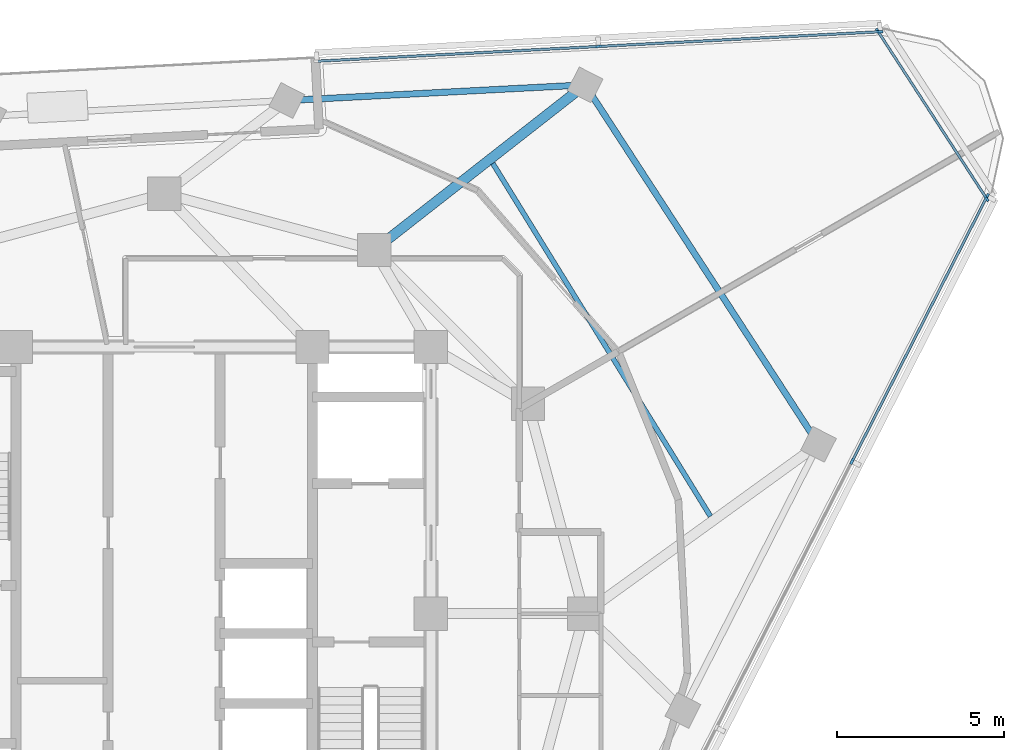
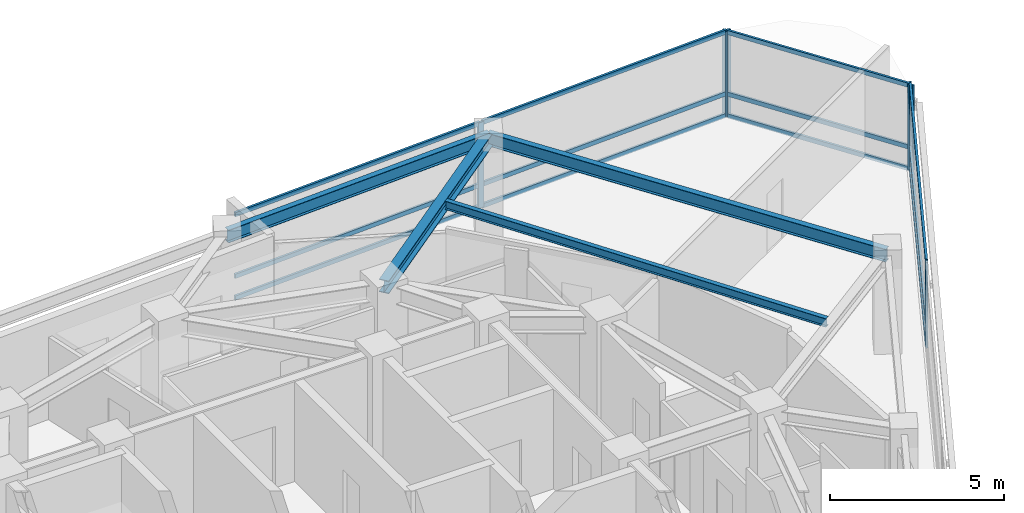
# One storey, part 6 of 15: 18 members, 4 beams, 3 elements without a shape of their own.
"""IFC4 building model written with IfcOpenShell, lengths in metres."""

from ifc_helpers import new_model, si_unit, direction, frame, origin, origin_2d, place, context, subcontext, project, spatial, rectangle, i_section, extrude, material, layer, layer_set, material_profile, profile_set, type_object, element, aggregate, save


model = new_model("IFC4")

# Units and contexts
model_context = context("Model", 3, precision=1e-05, world=origin(), true_north=direction((0.0, 1.0)))
body_context = subcontext(model_context, "Body", "Model", "MODEL_VIEW")
ifc_project = project(units=[si_unit("LENGTHUNIT", "METRE"), si_unit("AREAUNIT", "SQUARE_METRE"), si_unit("VOLUMEUNIT", "CUBIC_METRE"), si_unit("PLANEANGLEUNIT", "RADIAN"), si_unit("MASSUNIT", "GRAM", prefix="KILO")], contexts=[model_context])

# Site, building, storey
site_placement = place(None, origin())
site = spatial("IfcSite", under=ifc_project, at=site_placement, CompositionType="ELEMENT")
building_placement = place(site_placement, origin())
building = spatial("IfcBuilding", under=site, at=building_placement, Name="Terralouvre Media Tower", CompositionType="ELEMENT")
storey_placement = place(building_placement, frame((0.0, 0.0, 270.699951171875)))
storey = spatial("IfcBuildingStorey", under=building, at=storey_placement, Name="L70", CompositionType="ELEMENT", Elevation=270.699951171875)

# Beam
ifc_material_1 = material(Name="Structural steel S355J2", Category="steel")
ifc_material_profile_1 = material_profile(ifc_material_1, i_section(OverallWidth=0.14990234375, OverallDepth=0.300048828125, WebThickness=0.007080078125, FlangeThickness=0.0107421875, at=origin_2d()), Name="IPE 300")
ifc_profile_set_1 = profile_set([ifc_material_profile_1], Name="Structural steel S355J2")
beam_type_1 = type_object("IfcBeamType", Name="Composite Floor Joist J-IPE300 (IPE 300)", PredefinedType="JOIST", material=ifc_profile_set_1)
beam_1_placement = place(storey_placement, frame((16.387451171875, 2.9228515625, 3.35009765625), z_axis=(-0.524944877802, 0.851136226035, 0.0), x_axis=(-0.851136226035, -0.524944877802, 0.0)))
element("IfcBeam", 1, at=beam_1_placement, inside=storey, type_object=beam_type_1, Name="L70 Framing Beam JT-L70-03", PredefinedType="JOIST", context=body_context, shape_type="SweptSolid", body=[
    extrude(i_section(OverallWidth=0.14990234375, OverallDepth=0.300048828125, WebThickness=0.007080078125, FlangeThickness=0.0107421875, at=origin_2d()), origin(), (0.0, 0.0, 1.0), 12.43701171875),
])

# Curtain wall, members
ifc_material_2 = material(Name="Low-iron laminated double glazing with solar-control coating", Category="glass")
ifc_layer_1 = layer(ifc_material_2, 0.1650390625, Name="Upper Executive Tower Curtain Wall CW-05")
ifc_layer_set_1 = layer_set([ifc_layer_1], Name="Low-iron laminated double glazing with solar-control coating")
curtain_wall_type_1 = type_object("IfcCurtainWallType", Name="Upper Executive Tower Curtain Wall CW-05", PredefinedType="NOTDEFINED", material=ifc_layer_set_1)
curtain_wall_1_placement = place(storey_placement, origin())
curtain_wall_1 = element("IfcCurtainWall", 2, at=curtain_wall_1_placement, inside=storey, type_object=curtain_wall_type_1, Name="L70 Facade Curtain Wall F0", PredefinedType="NOTDEFINED")
ifc_material_3 = material(Name="Anodised extruded aluminium 6063-T6", Category="aluminium")
ifc_material_profile_2 = material_profile(ifc_material_3, rectangle(XDim=0.074951171875, YDim=0.14990234375, at=origin_2d()), Name="ALU 75x150")
ifc_profile_set_2 = profile_set([ifc_material_profile_2], Name="Anodised extruded aluminium 6063-T6")
member_type_1 = type_object("IfcMemberType", Name="Curtain-Wall Horizontal Transom TR-150", PredefinedType="USERDEFINED", material=ifc_profile_set_2)
member_1_placement = place(storey_placement, frame((20.6533203125, 4.602783203125, 0.03759765625), z_axis=(0.453989026721, 0.891007274727, 0.0), x_axis=(-0.891007274727, 0.453989026721, 0.0)))
member_1 = element("IfcMember", 3, at=member_1_placement, type_object=member_type_1, Name="CW-05 transom 5.1", ObjectType="TRANSOM", PredefinedType="USERDEFINED", context=body_context, shape_type="SweptSolid", body=[
    extrude(rectangle(XDim=0.074951171875, YDim=0.14990234375, at=origin_2d()), origin(), (0.0, 0.0, 1.0), 8.847412109375),
])
member_2_placement = place(storey_placement, frame((20.6533203125, 4.602783203125, 0.800048828125), z_axis=(0.453989026721, 0.891007274727, 0.0), x_axis=(-0.891007274727, 0.453989026721, 0.0)))
member_2 = element("IfcMember", 4, at=member_2_placement, type_object=member_type_1, Name="CW-05 transom 5.2", ObjectType="TRANSOM", PredefinedType="USERDEFINED", context=body_context, shape_type="SweptSolid", body=[
    extrude(rectangle(XDim=0.074951171875, YDim=0.14990234375, at=origin_2d()), origin(), (0.0, 0.0, 1.0), 8.847412109375),
])
member_3_placement = place(storey_placement, frame((20.6533203125, 4.602783203125, 2.962646484375), z_axis=(0.453989026721, 0.891007274727, 0.0), x_axis=(-0.891007274727, 0.453989026721, 0.0)))
member_3 = element("IfcMember", 5, at=member_3_placement, type_object=member_type_1, Name="CW-05 transom 5.3", ObjectType="TRANSOM", PredefinedType="USERDEFINED", context=body_context, shape_type="SweptSolid", body=[
    extrude(rectangle(XDim=0.074951171875, YDim=0.14990234375, at=origin_2d()), origin(), (0.0, 0.0, 1.0), 8.847412109375),
])

curtain_wall_2_placement = place(storey_placement, origin())
curtain_wall_2 = element("IfcCurtainWall", 6, at=curtain_wall_2_placement, inside=storey, type_object=curtain_wall_type_1, Name="L70 Left Flank Curtain Wall F1", PredefinedType="NOTDEFINED")
member_4_placement = place(storey_placement, frame((21.440673828125, 17.458740234375, 0.03759765625), z_axis=(-0.998629544022, -0.052335779414, 0.0), x_axis=(0.052335779414, -0.998629544022, 0.0)))
member_4 = element("IfcMember", 7, at=member_4_placement, type_object=member_type_1, Name="CW-05 transom 1.1", ObjectType="TRANSOM", PredefinedType="USERDEFINED", context=body_context, shape_type="SweptSolid", body=[
    extrude(rectangle(XDim=0.074951171875, YDim=0.14990234375, at=origin_2d()), origin(), (0.0, 0.0, 1.0), 8.387451171875),
])
member_5_placement = place(storey_placement, frame((21.440673828125, 17.458740234375, 0.800048828125), z_axis=(-0.998629544022, -0.052335779414, 0.0), x_axis=(0.052335779414, -0.998629544022, 0.0)))
member_5 = element("IfcMember", 8, at=member_5_placement, type_object=member_type_1, Name="CW-05 transom 1.2", ObjectType="TRANSOM", PredefinedType="USERDEFINED", context=body_context, shape_type="SweptSolid", body=[
    extrude(rectangle(XDim=0.074951171875, YDim=0.14990234375, at=origin_2d()), origin(), (0.0, 0.0, 1.0), 8.387451171875),
])
member_6_placement = place(storey_placement, frame((21.440673828125, 17.458740234375, 2.962646484375), z_axis=(-0.998629544022, -0.052335779414, 0.0), x_axis=(0.052335779414, -0.998629544022, 0.0)))
member_6 = element("IfcMember", 9, at=member_6_placement, type_object=member_type_1, Name="CW-05 transom 1.3", ObjectType="TRANSOM", PredefinedType="USERDEFINED", context=body_context, shape_type="SweptSolid", body=[
    extrude(rectangle(XDim=0.074951171875, YDim=0.14990234375, at=origin_2d()), origin(), (0.0, 0.0, 1.0), 8.387451171875),
])
member_7_placement = place(storey_placement, frame((12.98974609375, 17.015869140625, 0.03759765625), z_axis=(-0.998629544022, -0.052335779414, 0.0), x_axis=(0.052335779414, -0.998629544022, 0.0)))
member_7 = element("IfcMember", 10, at=member_7_placement, type_object=member_type_1, Name="CW-05 transom 2.1", ObjectType="TRANSOM", PredefinedType="USERDEFINED", context=body_context, shape_type="SweptSolid", body=[
    extrude(rectangle(XDim=0.074951171875, YDim=0.14990234375, at=origin_2d()), origin(), (0.0, 0.0, 1.0), 8.387451171875),
])
member_8_placement = place(storey_placement, frame((12.98974609375, 17.015869140625, 0.800048828125), z_axis=(-0.998629544022, -0.052335779414, 0.0), x_axis=(0.052335779414, -0.998629544022, 0.0)))
member_8 = element("IfcMember", 11, at=member_8_placement, type_object=member_type_1, Name="CW-05 transom 2.2", ObjectType="TRANSOM", PredefinedType="USERDEFINED", context=body_context, shape_type="SweptSolid", body=[
    extrude(rectangle(XDim=0.074951171875, YDim=0.14990234375, at=origin_2d()), origin(), (0.0, 0.0, 1.0), 8.387451171875),
])
member_9_placement = place(storey_placement, frame((12.98974609375, 17.015869140625, 2.962646484375), z_axis=(-0.998629544022, -0.052335779414, 0.0), x_axis=(0.052335779414, -0.998629544022, 0.0)))
member_9 = element("IfcMember", 12, at=member_9_placement, type_object=member_type_1, Name="CW-05 transom 2.3", ObjectType="TRANSOM", PredefinedType="USERDEFINED", context=body_context, shape_type="SweptSolid", body=[
    extrude(rectangle(XDim=0.074951171875, YDim=0.14990234375, at=origin_2d()), origin(), (0.0, 0.0, 1.0), 8.387451171875),
])

ifc_material_4 = material(Name="Low-iron laminated double glazing with solar-control coating", Category="glass")
ifc_layer_2 = layer(ifc_material_4, 0.1650390625, Name="Rounded Wind-Corner Curved Glazing CW-04")
ifc_layer_set_2 = layer_set([ifc_layer_2], Name="Low-iron laminated double glazing with solar-control coating")
curtain_wall_type_2 = type_object("IfcCurtainWallType", Name="Rounded Wind-Corner Curved Glazing CW-04", PredefinedType="NOTDEFINED", material=ifc_layer_set_2)
curtain_wall_3_placement = place(storey_placement, origin())
curtain_wall_3 = element("IfcCurtainWall", 13, at=curtain_wall_3_placement, inside=storey, type_object=curtain_wall_type_2, Name="L70 Rounded Wind-Corner Curtain Wall C1", PredefinedType="NOTDEFINED")
member_10_placement = place(storey_placement, frame((24.65283203125, 12.48486328125, 0.03759765625), z_axis=(-0.544654480098, 0.838660537589, 0.0), x_axis=(-0.838660537589, -0.544654480098, 0.0)))
member_10 = element("IfcMember", 14, at=member_10_placement, type_object=member_type_1, Name="CW-04 transom 1.1", ObjectType="TRANSOM", PredefinedType="USERDEFINED", context=body_context, shape_type="SweptSolid", body=[
    extrude(rectangle(XDim=0.074951171875, YDim=0.14990234375, at=origin_2d()), origin(), (0.0, 0.0, 1.0), 5.912353515625),
])
member_11_placement = place(storey_placement, frame((24.65283203125, 12.48486328125, 0.800048828125), z_axis=(-0.544654480098, 0.838660537589, 0.0), x_axis=(-0.838660537589, -0.544654480098, 0.0)))
member_11 = element("IfcMember", 15, at=member_11_placement, type_object=member_type_1, Name="CW-04 transom 1.2", ObjectType="TRANSOM", PredefinedType="USERDEFINED", context=body_context, shape_type="SweptSolid", body=[
    extrude(rectangle(XDim=0.074951171875, YDim=0.14990234375, at=origin_2d()), origin(), (0.0, 0.0, 1.0), 5.912353515625),
])
member_12_placement = place(storey_placement, frame((24.65283203125, 12.48486328125, 2.962646484375), z_axis=(-0.544654480098, 0.838660537589, 0.0), x_axis=(-0.838660537589, -0.544654480098, 0.0)))
member_12 = element("IfcMember", 16, at=member_12_placement, type_object=member_type_1, Name="CW-04 transom 1.3", ObjectType="TRANSOM", PredefinedType="USERDEFINED", context=body_context, shape_type="SweptSolid", body=[
    extrude(rectangle(XDim=0.074951171875, YDim=0.14990234375, at=origin_2d()), origin(), (0.0, 0.0, 1.0), 5.912353515625),
])

# Member
ifc_material_5 = material(Name="Anodised extruded aluminium 6063-T6", Category="aluminium")
ifc_material_profile_3 = material_profile(ifc_material_5, rectangle(XDim=0.074951171875, YDim=0.179931640625, at=origin_2d()), Name="ALU 75x180")
ifc_profile_set_3 = profile_set([ifc_material_profile_3], Name="Anodised extruded aluminium 6063-T6")
member_type_2 = type_object("IfcMemberType", Name="Curtain-Wall Vertical Mullion ML-180", PredefinedType="MULLION", material=ifc_profile_set_3)
member_13_placement = place(storey_placement, frame((20.63623046875, 4.5693359375, 0.0), z_axis=(0.0, 0.0, 1.0), x_axis=(-0.891006553308, 0.45399044259, 0.0)))
member_13 = element("IfcMember", 17, at=member_13_placement, type_object=member_type_2, Name="CW-05 mullion 5", PredefinedType="MULLION", context=body_context, shape_type="SweptSolid", body=[
    extrude(rectangle(XDim=0.074951171875, YDim=0.179931640625, at=origin_2d()), origin(), (0.0, 0.0, 1.0), 3.0),
])

member_14_placement = place(storey_placement, frame((24.68701171875, 12.519287109375, 0.0), z_axis=(0.0, 0.0, 1.0), x_axis=(-0.891006553308, 0.45399044259, 0.0)))
member_14 = element("IfcMember", 18, at=member_14_placement, type_object=member_type_2, Name="CW-05 mullion 6", PredefinedType="MULLION", context=body_context, shape_type="SweptSolid", body=[
    extrude(rectangle(XDim=0.074951171875, YDim=0.179931640625, at=origin_2d()), origin(), (0.0, 0.0, 1.0), 3.0),
])

aggregate(curtain_wall_1, [member_13, member_14, member_1, member_2, member_3])

member_15_placement = place(storey_placement, frame((21.47802734375, 17.460693359375, 0.0), z_axis=(0.0, 0.0, 1.0), x_axis=(0.052336444858, -0.998629509147, 0.0)))
member_15 = element("IfcMember", 19, at=member_15_placement, type_object=member_type_2, Name="CW-05 mullion 1", PredefinedType="MULLION", context=body_context, shape_type="SweptSolid", body=[
    extrude(rectangle(XDim=0.074951171875, YDim=0.179931640625, at=origin_2d()), origin(), (0.0, 0.0, 1.0), 3.0),
])

member_16_placement = place(storey_placement, frame((13.027099609375, 17.017822265625, 0.0), z_axis=(0.0, 0.0, 1.0), x_axis=(0.052336444858, -0.998629509147, 0.0)))
member_16 = element("IfcMember", 20, at=member_16_placement, type_object=member_type_2, Name="CW-05 mullion 2", PredefinedType="MULLION", context=body_context, shape_type="SweptSolid", body=[
    extrude(rectangle(XDim=0.074951171875, YDim=0.179931640625, at=origin_2d()), origin(), (0.0, 0.0, 1.0), 3.0),
])

aggregate(curtain_wall_2, [member_15, member_16, member_4, member_5, member_6, member_7, member_8, member_9])

member_17_placement = place(storey_placement, frame((24.673095703125, 12.453369140625, 0.0), z_axis=(0.0, 0.0, 1.0), x_axis=(-0.838670462688, -0.544639197097, 0.0)))
member_17 = element("IfcMember", 21, at=member_17_placement, type_object=member_type_2, Name="CW-04 mullion 1", PredefinedType="MULLION", context=body_context, shape_type="SweptSolid", body=[
    extrude(rectangle(XDim=0.074951171875, YDim=0.179931640625, at=origin_2d()), origin(), (0.0, 0.0, 1.0), 3.0),
])

member_18_placement = place(storey_placement, frame((21.412353515625, 17.474853515625, 0.0), z_axis=(0.0, 0.0, 1.0), x_axis=(-0.838670462688, -0.544639197097, 0.0)))
member_18 = element("IfcMember", 22, at=member_18_placement, type_object=member_type_2, Name="CW-04 mullion 2", PredefinedType="MULLION", context=body_context, shape_type="SweptSolid", body=[
    extrude(rectangle(XDim=0.074951171875, YDim=0.179931640625, at=origin_2d()), origin(), (0.0, 0.0, 1.0), 3.0),
])

aggregate(curtain_wall_3, [member_17, member_18, member_10, member_11, member_12])

# Beams
ifc_material_6 = material(Name="Structural steel S355J2", Category="steel")
ifc_material_profile_4 = material_profile(ifc_material_6, i_section(OverallWidth=0.18994140625, OverallDepth=0.449951171875, WebThickness=0.009521484375, FlangeThickness=0.0146484375, at=origin_2d()), Name="IPE 450")
ifc_profile_set_4 = profile_set([ifc_material_profile_4], Name="Structural steel S355J2")
beam_type_2 = type_object("IfcBeamType", Name="Perimeter Spandrel Beam SPB-450 (IPE 450)", PredefinedType="SPANDREL", material=ifc_profile_set_4)
beam_2_placement = place(storey_placement, frame((19.62939453125, 5.082275390625, 3.275146484375), z_axis=(-0.544633890672, 0.838673908699, 0.0), x_axis=(-0.838673908699, -0.544633890672, 0.0)))
element("IfcBeam", 23, at=beam_2_placement, inside=storey, type_object=beam_type_2, Name="L70 Framing Beam BM-L70-PR07", PredefinedType="SPANDREL", context=body_context, shape_type="SweptSolid", body=[
    extrude(i_section(OverallWidth=0.18994140625, OverallDepth=0.449951171875, WebThickness=0.009521484375, FlangeThickness=0.0146484375, at=origin_2d()), origin(), (0.0, 0.0, 1.0), 12.857177734375),
])
beam_3_placement = place(storey_placement, frame((12.626953125, 15.865234375, 3.275146484375), z_axis=(-0.998629171747, -0.052342882372, 0.0), x_axis=(0.052342882372, -0.998629171747, 0.0)))
element("IfcBeam", 24, at=beam_3_placement, inside=storey, type_object=beam_type_2, Name="L70 Framing Beam BM-L70-PR08", PredefinedType="SPANDREL", context=body_context, shape_type="SweptSolid", body=[
    extrude(i_section(OverallWidth=0.18994140625, OverallDepth=0.449951171875, WebThickness=0.009521484375, FlangeThickness=0.0146484375, at=origin_2d()), origin(), (0.0, 0.0, 1.0), 8.9599609375),
])
ifc_material_7 = material(Name="Structural steel S355J2", Category="steel")
ifc_material_profile_5 = material_profile(ifc_material_7, i_section(OverallWidth=0.300048828125, OverallDepth=0.449951171875, WebThickness=0.013916015625, FlangeThickness=0.02587890625, at=origin_2d()), Name="HEB 450")
ifc_profile_set_5 = profile_set([ifc_material_profile_5], Name="Structural steel S355J2")
beam_type_3 = type_object("IfcBeamType", Name="Primary Floor Girder B-HEB450 (HEB 450)", PredefinedType="BEAM", material=ifc_profile_set_5)
beam_4_placement = place(storey_placement, frame((6.300048828125, 10.911865234375, 3.275146484375), z_axis=(0.787391503235, 0.616453259083, 0.0), x_axis=(-0.616453259083, 0.787391503235, 0.0)))
element("IfcBeam", 25, at=beam_4_placement, inside=storey, type_object=beam_type_3, Name="L70 Framing Beam BM-L70-RD08", PredefinedType="BEAM", context=body_context, shape_type="SweptSolid", body=[
    extrude(i_section(OverallWidth=0.300048828125, OverallDepth=0.449951171875, WebThickness=0.013916015625, FlangeThickness=0.02587890625, at=origin_2d()), origin(), (0.0, 0.0, 1.0), 8.03515625),
])

save(model, "model.ifc")
